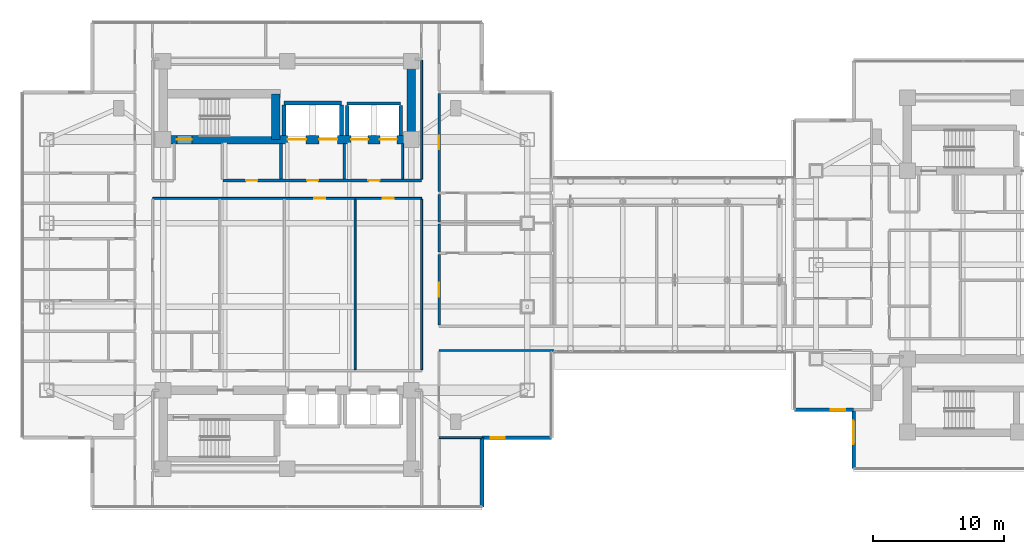
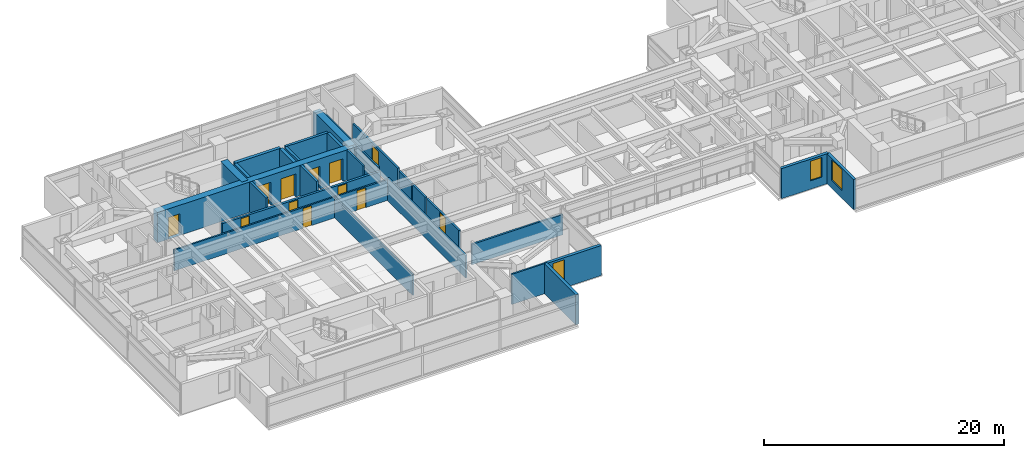
# One storey, part 17 of 29: 27 walls, 12 doors, 3 windows, 15 openings.
"""IFC4 building model written with IfcOpenShell, lengths in metres."""

from ifc_helpers import new_model, si_unit, direction, frame, frame_2d, origin, place, context, subcontext, project, spatial, rectangle, extrude, material, layer, layer_set, type_object, element, fill, save


model = new_model("IFC4")

# Units and contexts
model_context = context("Model", 3, precision=1e-05, world=origin(), true_north=direction((0.0, 1.0)))
body_context = subcontext(model_context, "Body", "Model", "MODEL_VIEW")
ifc_project = project(units=[si_unit("LENGTHUNIT", "METRE"), si_unit("AREAUNIT", "SQUARE_METRE"), si_unit("VOLUMEUNIT", "CUBIC_METRE"), si_unit("PLANEANGLEUNIT", "RADIAN"), si_unit("MASSUNIT", "GRAM", prefix="KILO")], contexts=[model_context])

# Site, building, storey
site_placement = place(None, origin())
site = spatial("IfcSite", under=ifc_project, at=site_placement, CompositionType="ELEMENT")
building_placement = place(site_placement, origin())
building = spatial("IfcBuilding", under=site, at=building_placement, Name="Mirazonda Arch Towers", CompositionType="ELEMENT")
storey_placement = place(building_placement, frame((0.0, 0.0, 88.39990234375)))
storey = spatial("IfcBuildingStorey", under=building, at=storey_placement, Name="L24", CompositionType="ELEMENT", Elevation=88.39990234375)

# Wall
ifc_material_1 = material(Name="Concrete C60/75", Category="concrete")
ifc_layer_1 = layer(ifc_material_1, 0.64990234375, Name="WALL-CORE-650")
ifc_layer_set_1 = layer_set([ifc_layer_1], Name="Concrete C60/75")
wall_type_1 = type_object("IfcWallType", Name="WALL-CORE-650", PredefinedType="SHEAR", material=ifc_layer_set_1)
wall_1_placement = place(storey_placement, frame((30.0, 37.60009765625, 0.0), z_axis=(0.0, 0.0, 1.0), x_axis=(0.0, 1.0, 0.0)))
element("IfcWall", 1, at=wall_1_placement, inside=storey, type_object=wall_type_1, Name="L24 T1N-E Core Shear Wall", PredefinedType="SHEAR", context=body_context, shape_type="SweptSolid", body=[
    extrude(rectangle(XDim=6.0, YDim=0.64990234375, at=frame_2d((3.0, 0.0))), origin(), (0.0, 0.0, 1.0), 3.080078125),
])

# Wall, openings, doors
wall_2_placement = place(storey_placement, frame((11.0, 37.60009765625, 0.0), z_axis=(0.0, 0.0, 1.0), x_axis=(1.0, 0.0, 0.0)))
wall_2 = element("IfcWall", 2, at=wall_2_placement, inside=storey, type_object=wall_type_1, Name="L24 T1N-S Core Shear Wall", PredefinedType="SHEAR", context=body_context, shape_type="SweptSolid", body=[
    extrude(rectangle(XDim=19.0, YDim=0.64990234375, at=frame_2d((9.5, 0.0))), origin(), (0.0, 0.0, 1.0), 3.080078125),
])
opening_1_placement = place(wall_2_placement, frame((1.06005859375, 0.0, 0.0)))
opening_1 = element("IfcOpeningElement", 3, at=opening_1_placement, cuts=wall_2, Name="Opening DR-135", PredefinedType="OPENING", context=body_context, shape_type="SweptSolid", body=[
    extrude(rectangle(XDim=1.14990234375, YDim=2.199951171875, at=frame_2d((0.574951171875, 1.10009765625))), frame((0.0, 0.3349609375, 0.0), z_axis=(0.0, -1.0, 0.0), x_axis=(1.0, 0.0, 0.0)), (0.0, 0.0, 1.0), 0.669921875),
])
opening_2_placement = place(wall_2_placement, frame((9.550048828125, 0.0, 0.0)))
opening_2 = element("IfcOpeningElement", 4, at=opening_2_placement, cuts=wall_2, Name="Opening LD-112", PredefinedType="OPENING", context=body_context, shape_type="SweptSolid", body=[
    extrude(rectangle(XDim=1.39990234375, YDim=2.35009765625, at=frame_2d((0.699951171875, 1.175048828125))), frame((0.0, 0.3349609375, 0.0), z_axis=(0.0, -1.0, 0.0), x_axis=(1.0, 0.0, 0.0)), (0.0, 0.0, 1.0), 0.669921875),
])
opening_3_placement = place(wall_2_placement, frame((11.949951171875, 0.0, 0.0)))
opening_3 = element("IfcOpeningElement", 5, at=opening_3_placement, cuts=wall_2, Name="Opening LD-112", PredefinedType="OPENING", context=body_context, shape_type="SweptSolid", body=[
    extrude(rectangle(XDim=1.39990234375, YDim=2.35009765625, at=frame_2d((0.699951171875, 1.175048828125))), frame((0.0, 0.3349609375, 0.0), z_axis=(0.0, -1.0, 0.0), x_axis=(1.0, 0.0, 0.0)), (0.0, 0.0, 1.0), 0.669921875),
])
opening_4_placement = place(wall_2_placement, frame((14.39990234375, 0.0, 0.0)))
opening_4 = element("IfcOpeningElement", 6, at=opening_4_placement, cuts=wall_2, Name="Opening LD-111", PredefinedType="OPENING", context=body_context, shape_type="SweptSolid", body=[
    extrude(rectangle(XDim=1.300048828125, YDim=2.300048828125, at=frame_2d((0.64990234375, 1.14990234375))), frame((0.0, 0.3349609375, 0.0), z_axis=(0.0, -1.0, 0.0), x_axis=(1.0, 0.0, 0.0)), (0.0, 0.0, 1.0), 0.669921875),
])
opening_5_placement = place(wall_2_placement, frame((16.60009765625, 0.0, 0.0)))
opening_5 = element("IfcOpeningElement", 7, at=opening_5_placement, cuts=wall_2, Name="Opening LD-111", PredefinedType="OPENING", context=body_context, shape_type="SweptSolid", body=[
    extrude(rectangle(XDim=1.300048828125, YDim=2.300048828125, at=frame_2d((0.64990234375, 1.14990234375))), frame((0.0, 0.3349609375, 0.0), z_axis=(0.0, -1.0, 0.0), x_axis=(1.0, 0.0, 0.0)), (0.0, 0.0, 1.0), 0.669921875),
])
ifc_material_2 = material(Name="Architectural Brushed Steel S355", Category="steel")
door_type_1 = type_object("IfcDoorType", Name="DOOR-LIFT-FFL-1400", OperationType="NOTDEFINED", PredefinedType="DOOR", material=ifc_material_2)
door_1_placement = place(opening_2_placement, origin())
door_1 = element("IfcDoor", 8, at=door_1_placement, inside=storey, type_object=door_type_1, Name="L24 Lift Landing Sliding Door FFL-T1", OperationType="DOUBLE_DOOR_SLIDING", OverallHeight=2.35009765625, OverallWidth=1.39990234375, PredefinedType="DOOR", context=body_context, shape_type="SweptSolid", body=[
    extrude(rectangle(XDim=1.39990234375, YDim=2.35009765625, at=frame_2d((0.699951171875, 1.175048828125))), frame((0.0, 0.02490234375, 0.0), z_axis=(0.0, -1.0, 0.0), x_axis=(1.0, 0.0, 0.0)), (0.0, 0.0, 1.0), 0.050048828125),
])
fill(opening_2, door_1)
door_2_placement = place(opening_3_placement, origin())
door_2 = element("IfcDoor", 9, at=door_2_placement, inside=storey, type_object=door_type_1, Name="L24 Lift Landing Sliding Door SVL-T1", OperationType="DOUBLE_DOOR_SLIDING", OverallHeight=2.35009765625, OverallWidth=1.39990234375, PredefinedType="DOOR", context=body_context, shape_type="SweptSolid", body=[
    extrude(rectangle(XDim=1.39990234375, YDim=2.35009765625, at=frame_2d((0.699951171875, 1.175048828125))), frame((0.0, 0.02490234375, 0.0), z_axis=(0.0, -1.0, 0.0), x_axis=(1.0, 0.0, 0.0)), (0.0, 0.0, 1.0), 0.050048828125),
])
fill(opening_3, door_2)
door_type_2 = type_object("IfcDoorType", Name="DOOR-LIFT-LAND-1300", OperationType="NOTDEFINED", PredefinedType="DOOR", material=ifc_material_2)
door_3_placement = place(opening_4_placement, origin())
door_3 = element("IfcDoor", 10, at=door_3_placement, inside=storey, type_object=door_type_2, Name="L24 Lift Landing Sliding Door PL-T1L1", OperationType="DOUBLE_DOOR_SLIDING", OverallHeight=2.300048828125, OverallWidth=1.300048828125, PredefinedType="DOOR", context=body_context, shape_type="SweptSolid", body=[
    extrude(rectangle(XDim=1.300048828125, YDim=2.300048828125, at=frame_2d((0.64990234375, 1.14990234375))), frame((0.0, 0.02490234375, 0.0), z_axis=(0.0, -1.0, 0.0), x_axis=(1.0, 0.0, 0.0)), (0.0, 0.0, 1.0), 0.050048828125),
])
fill(opening_4, door_3)
door_4_placement = place(opening_5_placement, origin())
door_4 = element("IfcDoor", 11, at=door_4_placement, inside=storey, type_object=door_type_2, Name="L24 Lift Landing Sliding Door PL-T1L2", OperationType="DOUBLE_DOOR_SLIDING", OverallHeight=2.300048828125, OverallWidth=1.300048828125, PredefinedType="DOOR", context=body_context, shape_type="SweptSolid", body=[
    extrude(rectangle(XDim=1.300048828125, YDim=2.300048828125, at=frame_2d((0.64990234375, 1.14990234375))), frame((0.0, 0.02490234375, 0.0), z_axis=(0.0, -1.0, 0.0), x_axis=(1.0, 0.0, 0.0)), (0.0, 0.0, 1.0), 0.050048828125),
])
fill(opening_5, door_4)
door_type_3 = type_object("IfcDoorType", Name="DOOR-STAIR-FD90-1150", OperationType="NOTDEFINED", PredefinedType="DOOR", material=ifc_material_2)
door_5_placement = place(opening_1_placement, origin())
door_5 = element("IfcDoor", 12, at=door_5_placement, inside=storey, type_object=door_type_3, Name="L24 Protected Exit Stair North Door", OperationType="SINGLE_SWING_RIGHT", OverallHeight=2.199951171875, OverallWidth=1.14990234375, PredefinedType="DOOR", context=body_context, shape_type="SweptSolid", body=[
    extrude(rectangle(XDim=1.14990234375, YDim=2.199951171875, at=frame_2d((0.574951171875, 1.10009765625))), frame((0.0, 0.02490234375, 0.0), z_axis=(0.0, -1.0, 0.0), x_axis=(1.0, 0.0, 0.0)), (0.0, 0.0, 1.0), 0.050048828125),
])
fill(opening_1, door_5)

# Wall
wall_3_placement = place(storey_placement, frame((19.64990234375, 37.60009765625, 0.0), z_axis=(0.0, 0.0, 1.0), x_axis=(0.0, 1.0, 0.0)))
element("IfcWall", 13, at=wall_3_placement, inside=storey, type_object=wall_type_1, Name="L24 T1N-STE Core Shear Wall", PredefinedType="SHEAR", context=body_context, shape_type="SweptSolid", body=[
    extrude(rectangle(XDim=3.492919921875, YDim=0.64990234375, at=frame_2d((1.74658203125, 0.0))), origin(), (0.0, 0.0, 1.0), 3.080078125),
])

# Wall, opening, window
ifc_material_3 = material(Name="Precast Concrete C40/50", Category="concrete")
ifc_layer_2 = layer(ifc_material_3, 0.280029296875, Name="WALL-EXT-WALL-280")
ifc_layer_set_2 = layer_set([ifc_layer_2], Name="Precast Concrete C40/50")
wall_type_2 = type_object("IfcWallType", Name="WALL-EXT-WALL-280", PredefinedType="SOLIDWALL", material=ifc_layer_set_2)
wall_4_placement = place(storey_placement, frame((35.425048828125, 14.77490234375, 0.0), z_axis=(0.0, 0.0, 1.0), x_axis=(1.0, 0.0, 0.0)))
wall_4 = element("IfcWall", 14, at=wall_4_placement, inside=storey, type_object=wall_type_2, Name="L24 T1 Corner Notch Return Wall WL-L24-T1-CSE1", PredefinedType="SOLIDWALL", context=body_context, shape_type="SweptSolid", body=[
    extrude(rectangle(XDim=5.304931640625, YDim=0.280029296875, at=frame_2d((2.65234375, 0.0))), origin(), (0.0, 0.0, 1.0), 3.06005859375),
])
opening_6_placement = place(wall_4_placement, frame((0.64990234375, 0.0, 0.85009765625)))
opening_6 = element("IfcOpeningElement", 15, at=opening_6_placement, cuts=wall_4, Name="Opening WN-108", PredefinedType="OPENING", context=body_context, shape_type="SweptSolid", body=[
    extrude(rectangle(XDim=1.10009765625, YDim=2.0, at=frame_2d((0.550048828125, 1.0))), frame((0.0, 0.14990234375, 0.0), z_axis=(0.0, -1.0, 0.0), x_axis=(1.0, 0.0, 0.0)), (0.0, 0.0, 1.0), 0.300048828125),
])
ifc_material_4 = material(Name="Insulated Low-E Solar Glass", Category="glass")
window_type_1 = type_object("IfcWindowType", Name="WIN-NOTCH-1100x2000", PartitioningType="SINGLE_PANEL", PredefinedType="WINDOW", material=ifc_material_4)
window_1_placement = place(opening_6_placement, origin())
window_1 = element("IfcWindow", 16, at=window_1_placement, inside=storey, type_object=window_type_1, Name="L24 Punched Facade Window WN-L24-T1-CSE1", OverallHeight=2.0, OverallWidth=1.10009765625, PartitioningType="SINGLE_PANEL", PredefinedType="WINDOW", context=body_context, shape_type="SweptSolid", body=[
    extrude(rectangle(XDim=1.10009765625, YDim=2.0, at=frame_2d((0.550048828125, 1.0))), frame((0.0, 0.030029296875, 0.0), z_axis=(0.0, -1.0, 0.0), x_axis=(1.0, 0.0, 0.0)), (0.0, 0.0, 1.0), 0.06005859375),
])
fill(opening_6, window_1)

# Wall
wall_5_placement = place(storey_placement, frame((35.425048828125, 9.469970703125, 0.0), z_axis=(0.0, 0.0, 1.0), x_axis=(0.0, 1.0, 0.0)))
element("IfcWall", 17, at=wall_5_placement, inside=storey, type_object=wall_type_2, Name="L24 T1 Corner Notch Return Wall WL-L24-T1-CSE2", PredefinedType="SOLIDWALL", context=body_context, shape_type="SweptSolid", body=[
    extrude(rectangle(XDim=5.304931640625, YDim=0.280029296875, at=frame_2d((2.65234375, 0.0))), origin(), (0.0, 0.0, 1.0), 3.06005859375),
])

# Wall, opening, window
wall_6_placement = place(storey_placement, frame((63.873779296875, 16.918701171875, 0.0), z_axis=(0.0, 0.0, 1.0), x_axis=(0.0, -1.0, 0.0)))
wall_6 = element("IfcWall", 18, at=wall_6_placement, inside=storey, type_object=wall_type_2, Name="L24 T2 Notched SW Corner Wall WL-L24-T2-CSW", PredefinedType="SOLIDWALL", context=body_context, shape_type="SweptSolid", body=[
    extrude(rectangle(XDim=4.51611328125, YDim=0.280029296875, at=frame_2d((2.258056640625, 0.0))), origin(), (0.0, 0.0, 1.0), 3.06005859375),
])
opening_7_placement = place(wall_6_placement, frame((0.85009765625, 0.0, 0.81005859375)))
opening_7 = element("IfcOpeningElement", 19, at=opening_7_placement, cuts=wall_6, Name="Opening WN-116", PredefinedType="OPENING", context=body_context, shape_type="SweptSolid", body=[
    extrude(rectangle(XDim=1.800048828125, YDim=2.10009765625, at=frame_2d((0.89990234375, 1.050048828125))), frame((0.0, 0.14990234375, 0.0), z_axis=(0.0, -1.0, 0.0), x_axis=(1.0, 0.0, 0.0)), (0.0, 0.0, 1.0), 0.300048828125),
])
window_type_2 = type_object("IfcWindowType", Name="WIN-HTL-1800x2100", PartitioningType="SINGLE_PANEL", PredefinedType="WINDOW", material=ifc_material_4)
window_2_placement = place(opening_7_placement, origin())
window_2 = element("IfcWindow", 20, at=window_2_placement, inside=storey, type_object=window_type_2, Name="L24 Punched Facade Window WN-L24-T2-CSW", OverallHeight=2.10009765625, OverallWidth=1.800048828125, PartitioningType="SINGLE_PANEL", PredefinedType="WINDOW", context=body_context, shape_type="SweptSolid", body=[
    extrude(rectangle(XDim=1.800048828125, YDim=2.10009765625, at=frame_2d((0.89990234375, 1.050048828125))), frame((0.0, 0.030029296875, 0.0), z_axis=(0.0, -1.0, 0.0), x_axis=(1.0, 0.0, 0.0)), (0.0, 0.0, 1.0), 0.06005859375),
])
fill(opening_7, window_2)

wall_7_placement = place(storey_placement, frame((59.357421875, 16.918701171875, 0.0), z_axis=(0.0, 0.0, 1.0), x_axis=(1.0, 0.0, 0.0)))
wall_7 = element("IfcWall", 21, at=wall_7_placement, inside=storey, type_object=wall_type_2, Name="L24 T2 Corner Notch Return Wall WL-L24-T2-CSW2", PredefinedType="SOLIDWALL", context=body_context, shape_type="SweptSolid", body=[
    extrude(rectangle(XDim=4.516357421875, YDim=0.280029296875, at=frame_2d((2.25830078125, 0.0))), origin(), (0.0, 0.0, 1.0), 3.06005859375),
])
opening_8_placement = place(wall_7_placement, frame((2.76611328125, 0.0, 0.85009765625)))
opening_8 = element("IfcOpeningElement", 22, at=opening_8_placement, cuts=wall_7, Name="Opening WN-108", PredefinedType="OPENING", context=body_context, shape_type="SweptSolid", body=[
    extrude(rectangle(XDim=1.10009765625, YDim=2.0, at=frame_2d((0.550048828125, 1.0))), frame((0.0, 0.14990234375, 0.0), z_axis=(0.0, -1.0, 0.0), x_axis=(1.0, 0.0, 0.0)), (0.0, 0.0, 1.0), 0.300048828125),
])
window_3_placement = place(opening_8_placement, origin())
window_3 = element("IfcWindow", 23, at=window_3_placement, inside=storey, type_object=window_type_1, Name="L24 Punched Facade Window WN-L24-T2-CSW2", OverallHeight=2.0, OverallWidth=1.10009765625, PartitioningType="SINGLE_PANEL", PredefinedType="WINDOW", context=body_context, shape_type="SweptSolid", body=[
    extrude(rectangle(XDim=1.10009765625, YDim=2.0, at=frame_2d((0.550048828125, 1.0))), frame((0.0, 0.030029296875, 0.0), z_axis=(0.0, -1.0, 0.0), x_axis=(1.0, 0.0, 0.0)), (0.0, 0.0, 1.0), 0.06005859375),
])
fill(opening_8, window_3)

# Wall, openings, doors
ifc_material_5 = material(Name="Concrete C40/50", Category="concrete")
ifc_layer_3 = layer(ifc_material_5, 0.219970703125, Name="WALL-FFL-220")
ifc_layer_set_3 = layer_set([ifc_layer_3], Name="Concrete C40/50")
wall_type_3 = type_object("IfcWallType", Name="WALL-FFL-220", PredefinedType="SOLIDWALL", material=ifc_layer_set_3)
wall_8_placement = place(storey_placement, frame((15.590087890625, 34.449951171875, 0.0), z_axis=(0.0, 0.0, 1.0), x_axis=(1.0, 0.0, 0.0)))
wall_8 = element("IfcWall", 24, at=wall_8_placement, inside=storey, type_object=wall_type_3, Name="L24 Interior Partition 049", PredefinedType="SOLIDWALL", context=body_context, shape_type="SweptSolid", body=[
    extrude(rectangle(XDim=15.2099609375, YDim=0.219970703125, at=frame_2d((7.60498046875, 0.0))), origin(), (0.0, 0.0, 1.0), 2.1240234375),
])
opening_9_placement = place(wall_8_placement, frame((6.43505859375, 0.0, 0.0)))
opening_9 = element("IfcOpeningElement", 25, at=opening_9_placement, cuts=wall_8, Name="Opening DR-128", PredefinedType="OPENING", context=body_context, shape_type="SweptSolid", body=[
    extrude(rectangle(XDim=0.85009765625, YDim=2.010009765625, at=frame_2d((0.425048828125, 1.0048828125))), frame((0.0, 0.119873046875, 0.0), z_axis=(0.0, -1.0, 0.0), x_axis=(1.0, 0.0, 0.0)), (0.0, 0.0, 1.0), 0.239990234375),
])
opening_10_placement = place(wall_8_placement, frame((11.135009765625, 0.0, 0.0)))
opening_10 = element("IfcOpeningElement", 26, at=opening_10_placement, cuts=wall_8, Name="Opening DR-128", PredefinedType="OPENING", context=body_context, shape_type="SweptSolid", body=[
    extrude(rectangle(XDim=0.85009765625, YDim=2.010009765625, at=frame_2d((0.425048828125, 1.0048828125))), frame((0.0, 0.119873046875, 0.0), z_axis=(0.0, -1.0, 0.0), x_axis=(1.0, 0.0, 0.0)), (0.0, 0.0, 1.0), 0.239990234375),
])
opening_11_placement = place(wall_8_placement, frame((1.77490234375, 0.0, 0.0)))
opening_11 = element("IfcOpeningElement", 27, at=opening_11_placement, cuts=wall_8, Name="Opening DR-128", PredefinedType="OPENING", context=body_context, shape_type="SweptSolid", body=[
    extrude(rectangle(XDim=0.85009765625, YDim=2.010009765625, at=frame_2d((0.425048828125, 1.0048828125))), frame((0.0, 0.119873046875, 0.0), z_axis=(0.0, -1.0, 0.0), x_axis=(1.0, 0.0, 0.0)), (0.0, 0.0, 1.0), 0.239990234375),
])
door_type_4 = type_object("IfcDoorType", Name="DOOR-RISER-FD60-850", OperationType="NOTDEFINED", PredefinedType="DOOR", material=ifc_material_2)
door_6_placement = place(opening_9_placement, origin())
door_6 = element("IfcDoor", 28, at=door_6_placement, inside=storey, type_object=door_type_4, Name="L24 Firefighting Lift Lobby Door", OperationType="SINGLE_SWING_LEFT", OverallHeight=2.010009765625, OverallWidth=0.85009765625, PredefinedType="DOOR", context=body_context, shape_type="SweptSolid", body=[
    extrude(rectangle(XDim=0.85009765625, YDim=2.010009765625, at=frame_2d((0.425048828125, 1.0048828125))), frame((0.0, 0.02490234375, 0.0), z_axis=(0.0, -1.0, 0.0), x_axis=(1.0, 0.0, 0.0)), (0.0, 0.0, 1.0), 0.050048828125),
])
fill(opening_9, door_6)
door_7_placement = place(opening_10_placement, origin())
door_7 = element("IfcDoor", 29, at=door_7_placement, inside=storey, type_object=door_type_4, Name="L24 Passenger Lift Lobby North Door", OperationType="SINGLE_SWING_RIGHT", OverallHeight=2.010009765625, OverallWidth=0.85009765625, PredefinedType="DOOR", context=body_context, shape_type="SweptSolid", body=[
    extrude(rectangle(XDim=0.85009765625, YDim=2.010009765625, at=frame_2d((0.425048828125, 1.0048828125))), frame((0.0, 0.02490234375, 0.0), z_axis=(0.0, -1.0, 0.0), x_axis=(1.0, 0.0, 0.0)), (0.0, 0.0, 1.0), 0.050048828125),
])
fill(opening_10, door_7)
door_8_placement = place(opening_11_placement, origin())
door_8 = element("IfcDoor", 30, at=door_8_placement, inside=storey, type_object=door_type_4, Name="L24 Housekeeping Linen Room Door", OperationType="SINGLE_SWING_LEFT", OverallHeight=2.010009765625, OverallWidth=0.85009765625, PredefinedType="DOOR", context=body_context, shape_type="SweptSolid", body=[
    extrude(rectangle(XDim=0.85009765625, YDim=2.010009765625, at=frame_2d((0.425048828125, 1.0048828125))), frame((0.0, 0.02490234375, 0.0), z_axis=(0.0, -1.0, 0.0), x_axis=(1.0, 0.0, 0.0)), (0.0, 0.0, 1.0), 0.050048828125),
])
fill(opening_11, door_8)

# Walls
for number, where, z_axis, x_axis, name in (
    (31, (20.02490234375, 34.570068359375, 0.0), (0.0, 0.0, 1.0), (0.0, 1.0, 0.0), "L24 Interior Partition 092"),
    (32, (24.875, 34.570068359375, 0.0), (0.0, 0.0, 1.0), (0.0, 1.0, 0.0), "L24 Interior Partition 100"),
):
    element("IfcWall", number, at=place(storey_placement, frame(where, z_axis=z_axis, x_axis=x_axis)), inside=storey, type_object=wall_type_3, Name=name, PredefinedType="SOLIDWALL", context=body_context, shape_type="SweptSolid", body=[
        extrude(rectangle(XDim=2.7099609375, YDim=0.219970703125, at=frame_2d((1.35498046875, 0.0))), origin(), (0.0, 0.0, 1.0), 3.080078125),
    ])
ifc_material_6 = material(Name="Fire-Rated Gypsum Stud Partition")
ifc_layer_4 = layer(ifc_material_6, 0.14990234375, Name="WALL-PART-CORR-150")
ifc_layer_set_4 = layer_set([ifc_layer_4], Name="Fire-Rated Gypsum Stud Partition")
wall_type_4 = type_object("IfcWallType", Name="WALL-PART-CORR-150", PredefinedType="PARTITIONING", material=ifc_layer_set_4)
wall_9_placement = place(storey_placement, frame((32.139892578125, 14.77490234375, 0.0), z_axis=(0.0, 0.0, 1.0), x_axis=(1.0, 0.0, 0.0)))
element("IfcWall", 33, at=wall_9_placement, inside=storey, type_object=wall_type_4, Name="L24 Interior Partition 005", PredefinedType="PARTITIONING", context=body_context, shape_type="SweptSolid", body=[
    extrude(rectangle(XDim=3.26513671875, YDim=0.14990234375, at=frame_2d((1.632568359375, 0.0))), origin(), (0.0, 0.0, 1.0), 3.080078125),
])

# Wall, openings, doors
wall_10_placement = place(storey_placement, frame((10.199951171875, 33.10009765625, 0.0), z_axis=(0.0, 0.0, 1.0), x_axis=(1.0, 0.0, 0.0)))
wall_10 = element("IfcWall", 34, at=wall_10_placement, inside=storey, type_object=wall_type_4, Name="L24 Interior Partition 046", PredefinedType="PARTITIONING", context=body_context, shape_type="SweptSolid", body=[
    extrude(rectangle(XDim=20.60009765625, YDim=0.14990234375, at=frame_2d((10.300048828125, 0.0))), origin(), (0.0, 0.0, 1.0), 2.1240234375),
])
opening_12_placement = place(wall_10_placement, frame((12.373046875, 0.0, 0.0)))
opening_12 = element("IfcOpeningElement", 35, at=opening_12_placement, cuts=wall_10, Name="Opening DR-128", PredefinedType="OPENING", context=body_context, shape_type="SweptSolid", body=[
    extrude(rectangle(XDim=0.85009765625, YDim=2.010009765625, at=frame_2d((0.425048828125, 1.0048828125))), frame((0.0, 0.0849609375, 0.0), z_axis=(0.0, -1.0, 0.0), x_axis=(1.0, 0.0, 0.0)), (0.0, 0.0, 1.0), 0.169921875),
])
opening_13_placement = place(wall_10_placement, frame((17.60595703125, 0.0, 0.0)))
opening_13 = element("IfcOpeningElement", 36, at=opening_13_placement, cuts=wall_10, Name="Opening DR-128", PredefinedType="OPENING", context=body_context, shape_type="SweptSolid", body=[
    extrude(rectangle(XDim=0.85009765625, YDim=2.010009765625, at=frame_2d((0.425048828125, 1.0048828125))), frame((0.0, 0.0849609375, 0.0), z_axis=(0.0, -1.0, 0.0), x_axis=(1.0, 0.0, 0.0)), (0.0, 0.0, 1.0), 0.169921875),
])
door_9_placement = place(opening_12_placement, origin())
door_9 = element("IfcDoor", 37, at=door_9_placement, inside=storey, type_object=door_type_4, Name="L24 Concierge Salon Door", OperationType="SINGLE_SWING_RIGHT", OverallHeight=2.010009765625, OverallWidth=0.85009765625, PredefinedType="DOOR", context=body_context, shape_type="SweptSolid", body=[
    extrude(rectangle(XDim=0.85009765625, YDim=2.010009765625, at=frame_2d((0.425048828125, 1.0048828125))), frame((0.0, 0.02490234375, 0.0), z_axis=(0.0, -1.0, 0.0), x_axis=(1.0, 0.0, 0.0)), (0.0, 0.0, 1.0), 0.050048828125),
])
fill(opening_12, door_9)
door_10_placement = place(opening_13_placement, origin())
door_10 = element("IfcDoor", 38, at=door_10_placement, inside=storey, type_object=door_type_4, Name="L24 Private Meeting Suite Door", OperationType="SINGLE_SWING_LEFT", OverallHeight=2.010009765625, OverallWidth=0.85009765625, PredefinedType="DOOR", context=body_context, shape_type="SweptSolid", body=[
    extrude(rectangle(XDim=0.85009765625, YDim=2.010009765625, at=frame_2d((0.425048828125, 1.0048828125))), frame((0.0, 0.02490234375, 0.0), z_axis=(0.0, -1.0, 0.0), x_axis=(1.0, 0.0, 0.0)), (0.0, 0.0, 1.0), 0.050048828125),
])
fill(opening_13, door_10)

# Walls
wall_11_placement = place(storey_placement, frame((25.701904296875, 19.985107421875, 0.0), z_axis=(0.0, 0.0, 1.0), x_axis=(0.0, 1.0, 0.0)))
element("IfcWall", 39, at=wall_11_placement, inside=storey, type_object=wall_type_4, Name="L24 Interior Partition 102", PredefinedType="PARTITIONING", context=body_context, shape_type="SweptSolid", body=[
    extrude(rectangle(XDim=13.02978515625, YDim=0.14990234375, at=frame_2d((6.514892578125, 0.0))), origin(), (0.0, 0.0, 1.0), 2.1240234375),
])
wall_12_placement = place(storey_placement, frame((29.35009765625, 34.570068359375, 0.0), z_axis=(0.0, 0.0, 1.0), x_axis=(0.0, 1.0, 0.0)))
element("IfcWall", 40, at=wall_12_placement, inside=storey, type_object=wall_type_4, Name="L24 Interior Partition 104", PredefinedType="PARTITIONING", context=body_context, shape_type="SweptSolid", body=[
    extrude(rectangle(XDim=2.7099609375, YDim=0.14990234375, at=frame_2d((1.35498046875, 0.0))), origin(), (0.0, 0.0, 1.0), 3.080078125),
])
wall_13_placement = place(storey_placement, frame((30.800048828125, 19.985107421875, 0.0), z_axis=(0.0, 0.0, 1.0), x_axis=(0.0, 1.0, 0.0)))
element("IfcWall", 41, at=wall_13_placement, inside=storey, type_object=wall_type_4, Name="L24 Interior Partition 108", PredefinedType="PARTITIONING", context=body_context, shape_type="SweptSolid", body=[
    extrude(rectangle(XDim=13.02978515625, YDim=0.14990234375, at=frame_2d((6.514892578125, 0.0))), origin(), (0.0, 0.0, 1.0), 2.299072265625),
])
wall_14_placement = place(storey_placement, frame((30.800048828125, 34.570068359375, 0.0), z_axis=(0.0, 0.0, 1.0), x_axis=(0.0, 1.0, 0.0)))
element("IfcWall", 42, at=wall_14_placement, inside=storey, type_object=wall_type_4, Name="L24 Interior Partition 109", PredefinedType="PARTITIONING", context=body_context, shape_type="SweptSolid", body=[
    extrude(rectangle(XDim=9.094970703125, YDim=0.14990234375, at=frame_2d((4.54736328125, 0.0))), origin(), (0.0, 0.0, 1.0), 2.4560546875),
])
ifc_material_7 = material(Name="Fire-Rated Gypsum Twin-Stud Assembly")
ifc_layer_5 = layer(ifc_material_7, 0.179931640625, Name="WALL-PART-DEMISE-180")
ifc_layer_set_5 = layer_set([ifc_layer_5], Name="Fire-Rated Gypsum Twin-Stud Assembly")
wall_type_5 = type_object("IfcWallType", Name="WALL-PART-DEMISE-180", PredefinedType="PARTITIONING", material=ifc_layer_set_5)
wall_15_placement = place(storey_placement, frame((32.139892578125, 21.449951171875, 0.0), z_axis=(0.0, 0.0, 1.0), x_axis=(1.0, 0.0, 0.0)))
element("IfcWall", 43, at=wall_15_placement, inside=storey, type_object=wall_type_5, Name="L24 Interior Partition 021", PredefinedType="PARTITIONING", context=body_context, shape_type="SweptSolid", body=[
    extrude(rectangle(XDim=8.800048828125, YDim=0.179931640625, at=frame_2d((4.39990234375, 0.0))), origin(), (0.0, 0.0, 1.0), 2.085205078125),
])

# Wall, opening, door
wall_16_placement = place(storey_placement, frame((32.139892578125, 23.39990234375, 0.0), z_axis=(0.0, 0.0, 1.0), x_axis=(0.0, 1.0, 0.0)))
wall_16 = element("IfcWall", 44, at=wall_16_placement, inside=storey, type_object=wall_type_5, Name="L24 Interior Partition 113", PredefinedType="PARTITIONING", context=body_context, shape_type="SweptSolid", body=[
    extrude(rectangle(XDim=5.400146484375, YDim=0.179931640625, at=frame_2d((2.7001953125, 0.0))), origin(), (0.0, 0.0, 1.0), 2.299072265625),
])
opening_14_placement = place(wall_16_placement, frame((2.175048828125, 0.0, 0.0)))
opening_14 = element("IfcOpeningElement", 45, at=opening_14_placement, cuts=wall_16, Name="Opening DR-121", PredefinedType="OPENING", context=body_context, shape_type="SweptSolid", body=[
    extrude(rectangle(XDim=1.050048828125, YDim=2.199951171875, at=frame_2d((0.52490234375, 1.10009765625))), frame((0.0, 0.099853515625, 0.0), z_axis=(0.0, -1.0, 0.0), x_axis=(1.0, 0.0, 0.0)), (0.0, 0.0, 1.0), 0.199951171875),
])
door_type_5 = type_object("IfcDoorType", Name="DOOR-SUITE-FD60-1050", OperationType="NOTDEFINED", PredefinedType="DOOR", material=ifc_material_2)
door_11_placement = place(opening_14_placement, origin())
door_11 = element("IfcDoor", 46, at=door_11_placement, inside=storey, type_object=door_type_5, Name="L24 Panoramic Suite Salon 1 Door", OperationType="SINGLE_SWING_LEFT", OverallHeight=2.199951171875, OverallWidth=1.050048828125, PredefinedType="DOOR", context=body_context, shape_type="SweptSolid", body=[
    extrude(rectangle(XDim=1.050048828125, YDim=2.199951171875, at=frame_2d((0.52490234375, 1.10009765625))), frame((0.0, 0.02490234375, 0.0), z_axis=(0.0, -1.0, 0.0), x_axis=(1.0, 0.0, 0.0)), (0.0, 0.0, 1.0), 0.050048828125),
])
fill(opening_14, door_11)

# Walls
for number, where, z_axis, x_axis, name in (
    (47, (32.139892578125, 29.0, 0.0), (0.0, 0.0, 1.0), (0.0, 1.0, 0.0), "L24 Interior Partition 114"),
    (48, (32.139892578125, 31.2724609375, 0.0), (0.0, 0.0, 1.0), (0.0, 1.0, 0.0), "L24 Interior Partition 115"),
):
    element("IfcWall", number, at=place(storey_placement, frame(where, z_axis=z_axis, x_axis=x_axis)), inside=storey, type_object=wall_type_5, Name=name, PredefinedType="PARTITIONING", context=body_context, shape_type="SweptSolid", body=[
        extrude(rectangle(XDim=2.12744140625, YDim=0.179931640625, at=frame_2d((1.063720703125, 0.0))), origin(), (0.0, 0.0, 1.0), 2.299072265625),
    ])

# Wall, opening, door
wall_17_placement = place(storey_placement, frame((32.139892578125, 33.60009765625, 0.0), z_axis=(0.0, 0.0, 1.0), x_axis=(0.0, 1.0, 0.0)))
wall_17 = element("IfcWall", 49, at=wall_17_placement, inside=storey, type_object=wall_type_5, Name="L24 Interior Partition 116", PredefinedType="PARTITIONING", context=body_context, shape_type="SweptSolid", body=[
    extrude(rectangle(XDim=7.52490234375, YDim=0.179931640625, at=frame_2d((3.762451171875, 0.0))), origin(), (0.0, 0.0, 1.0), 2.4560546875),
])
opening_15_placement = place(wall_17_placement, frame((3.237548828125, 0.0, 0.0)))
opening_15 = element("IfcOpeningElement", 50, at=opening_15_placement, cuts=wall_17, Name="Opening DR-121", PredefinedType="OPENING", context=body_context, shape_type="SweptSolid", body=[
    extrude(rectangle(XDim=1.050048828125, YDim=2.199951171875, at=frame_2d((0.52490234375, 1.10009765625))), frame((0.0, 0.099853515625, 0.0), z_axis=(0.0, -1.0, 0.0), x_axis=(1.0, 0.0, 0.0)), (0.0, 0.0, 1.0), 0.199951171875),
])
door_12_placement = place(opening_15_placement, origin())
door_12 = element("IfcDoor", 51, at=door_12_placement, inside=storey, type_object=door_type_5, Name="L24 Deluxe Suite Living Room 2 Door", OperationType="SINGLE_SWING_RIGHT", OverallHeight=2.199951171875, OverallWidth=1.050048828125, PredefinedType="DOOR", context=body_context, shape_type="SweptSolid", body=[
    extrude(rectangle(XDim=1.050048828125, YDim=2.199951171875, at=frame_2d((0.52490234375, 1.10009765625))), frame((0.0, 0.02490234375, 0.0), z_axis=(0.0, -1.0, 0.0), x_axis=(1.0, 0.0, 0.0)), (0.0, 0.0, 1.0), 0.050048828125),
])
fill(opening_15, door_12)

# Walls
ifc_layer_6 = layer(ifc_material_5, 0.25, Name="WALL-SHAFT-250")
ifc_layer_set_6 = layer_set([ifc_layer_6], Name="Concrete C40/50")
wall_type_6 = type_object("IfcWallType", Name="WALL-SHAFT-250", PredefinedType="SOLIDWALL", material=ifc_layer_set_6)
wall_18_placement = place(storey_placement, frame((25.10009765625, 40.35009765625, 0.0), z_axis=(0.0, 0.0, 1.0), x_axis=(1.0, 0.0, 0.0)))
element("IfcWall", 52, at=wall_18_placement, inside=storey, type_object=wall_type_6, Name="L24 Interior Partition 059", PredefinedType="SOLIDWALL", context=body_context, shape_type="SweptSolid", body=[
    extrude(rectangle(XDim=4.099853515625, YDim=0.25, at=frame_2d((2.0498046875, 0.0))), origin(), (0.0, 0.0, 1.0), 3.080078125),
])
for number, where, z_axis, x_axis, name in (
    (53, (25.10009765625, 37.919921875, 0.0), (0.0, 0.0, 1.0), (0.0, 1.0, 0.0), "L24 Interior Partition 101"),
    (54, (29.199951171875, 37.919921875, 0.0), (0.0, 0.0, 1.0), (0.0, 1.0, 0.0), "L24 Interior Partition 105"),
):
    element("IfcWall", number, at=place(storey_placement, frame(where, z_axis=z_axis, x_axis=x_axis)), inside=storey, type_object=wall_type_6, Name=name, PredefinedType="SOLIDWALL", context=body_context, shape_type="SweptSolid", body=[
        extrude(rectangle(XDim=2.295166015625, YDim=0.25, at=frame_2d((1.1474609375, 0.0))), origin(), (0.0, 0.0, 1.0), 3.080078125),
    ])
ifc_material_8 = material(Name="Concrete C50/60", Category="concrete")
ifc_layer_7 = layer(ifc_material_8, 0.300048828125, Name="WALL-SHAFT-300")
ifc_layer_set_7 = layer_set([ifc_layer_7], Name="Concrete C50/60")
wall_type_7 = type_object("IfcWallType", Name="WALL-SHAFT-300", PredefinedType="SOLIDWALL", material=ifc_layer_set_7)
wall_19_placement = place(storey_placement, frame((20.25, 40.39990234375, 0.0), z_axis=(0.0, 0.0, 1.0), x_axis=(1.0, 0.0, 0.0)))
element("IfcWall", 55, at=wall_19_placement, inside=storey, type_object=wall_type_7, Name="L24 Interior Partition 060", PredefinedType="SOLIDWALL", context=body_context, shape_type="SweptSolid", body=[
    extrude(rectangle(XDim=4.39990234375, YDim=0.300048828125, at=frame_2d((2.199951171875, 0.0))), origin(), (0.0, 0.0, 1.0), 3.080078125),
])
for number, where, z_axis, x_axis, name in (
    (56, (20.25, 37.919921875, 0.0), (0.0, 0.0, 1.0), (0.0, 1.0, 0.0), "L24 Interior Partition 096"),
    (57, (24.64990234375, 37.919921875, 0.0), (0.0, 0.0, 1.0), (0.0, 1.0, 0.0), "L24 Interior Partition 098"),
):
    element("IfcWall", number, at=place(storey_placement, frame(where, z_axis=z_axis, x_axis=x_axis)), inside=storey, type_object=wall_type_7, Name=name, PredefinedType="SOLIDWALL", context=body_context, shape_type="SweptSolid", body=[
        extrude(rectangle(XDim=2.320068359375, YDim=0.300048828125, at=frame_2d((1.16015625, 0.0))), origin(), (0.0, 0.0, 1.0), 3.080078125),
    ])

save(model, "model.ifc")
